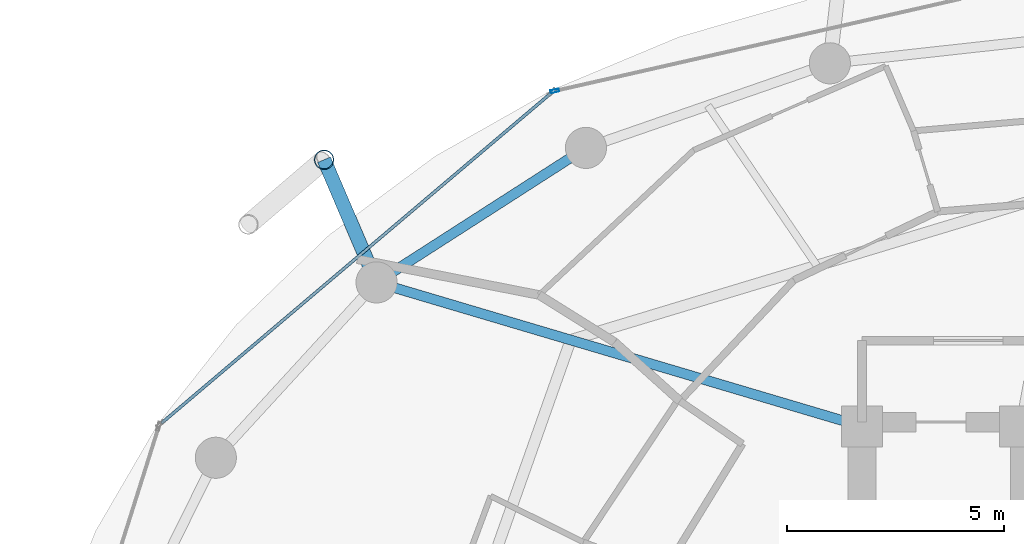
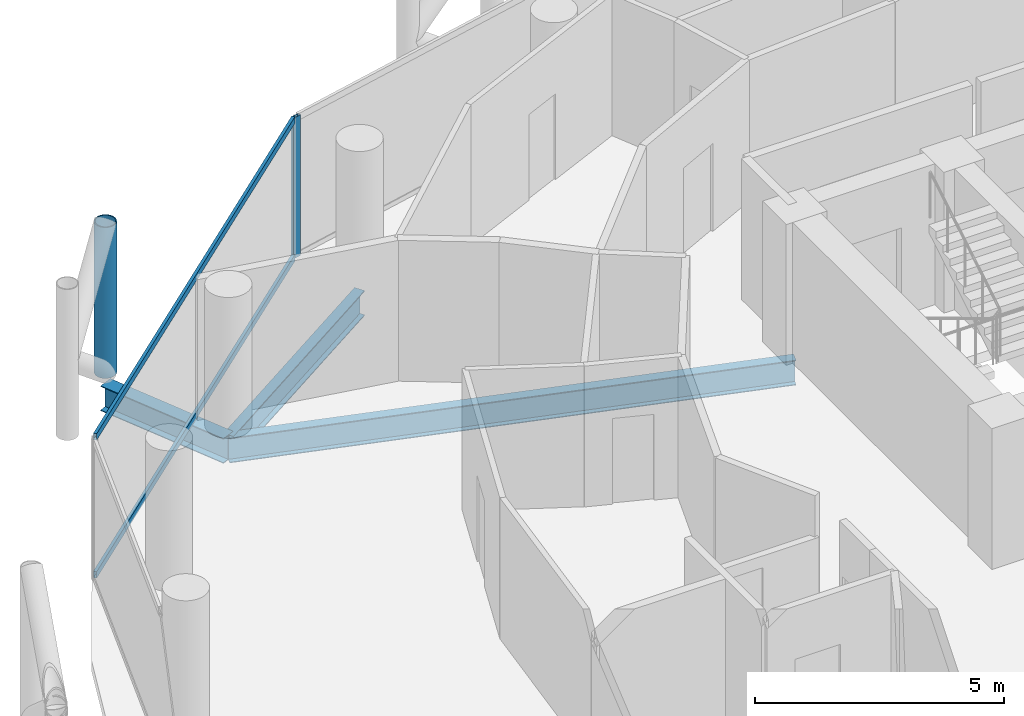
# One storey, part 14 of 26: 4 members, 3 beams, 2 elements without a shape of their own.
"""IFC4 building model written with IfcOpenShell, lengths in metres."""

from ifc_helpers import new_model, si_unit, direction, frame, origin, origin_2d, place, context, subcontext, project, spatial, hollow_rectangle, hollow_circle, i_section, extrude, material, layer, layer_set, material_profile, profile_set, type_object, element, aggregate, save


model = new_model("IFC4")

# Units and contexts
model_context = context("Model", 3, precision=1e-05, world=origin(), true_north=direction((0.0, 1.0)))
body_context = subcontext(model_context, "Body", "Model", "MODEL_VIEW")
ifc_project = project(units=[si_unit("LENGTHUNIT", "METRE"), si_unit("AREAUNIT", "SQUARE_METRE"), si_unit("VOLUMEUNIT", "CUBIC_METRE"), si_unit("PLANEANGLEUNIT", "RADIAN"), si_unit("MASSUNIT", "GRAM", prefix="KILO")], contexts=[model_context])

# Site, building, storey
site_placement = place(None, origin())
site = spatial("IfcSite", under=ifc_project, at=site_placement, CompositionType="ELEMENT")
building_placement = place(site_placement, origin())
building = spatial("IfcBuilding", under=site, at=building_placement, Name="Nuhasar Tower", CompositionType="ELEMENT")
storey_placement = place(building_placement, frame((0.0, 0.0, 133.050048828125)))
storey = spatial("IfcBuildingStorey", under=building, at=storey_placement, Name="L31", CompositionType="ELEMENT", Elevation=133.050048828125)

# Beams
ifc_material_1 = material(Name="Steel S355", Category="steel")
ifc_material_profile_1 = material_profile(ifc_material_1, i_section(OverallWidth=0.22900390625, OverallDepth=0.612060546875, WebThickness=0.011962890625, FlangeThickness=0.01953125, at=origin_2d()), Name="W24X84")
ifc_profile_set_1 = profile_set([ifc_material_profile_1], Name="Steel S355")
beam_type_1 = type_object("IfcBeamType", Name="BM-RAD-W24X84", PredefinedType="BEAM", material=ifc_profile_set_1)
beam_1_placement = place(storey_placement, frame((33.699951171875, 37.300048828125, -0.55615234375), z_axis=(-0.958746492721, 0.284262489076, 0.0), x_axis=(-0.284262489076, -0.958746492721, 0.0)))
element("IfcBeam", 1, at=beam_1_placement, inside=storey, type_object=beam_type_1, Name="L31 Radial Floor Girder 07", PredefinedType="BEAM", context=body_context, shape_type="SweptSolid", body=[
    extrude(i_section(OverallWidth=0.22900390625, OverallDepth=0.612060546875, WebThickness=0.011962890625, FlangeThickness=0.01953125, at=origin_2d()), origin(), (0.0, 0.0, 1.0), 11.693359375),
])
ifc_material_profile_2 = material_profile(ifc_material_1, i_section(OverallWidth=0.22998046875, OverallDepth=0.616943359375, WebThickness=0.01318359375, FlangeThickness=0.022216796875, at=origin_2d()), Name="W24X94")
ifc_profile_set_2 = profile_set([ifc_material_profile_2], Name="Steel S355")
beam_type_2 = type_object("IfcBeamType", Name="BM-RING-W24X94", PredefinedType="SPANDREL", material=ifc_profile_set_2)
beam_2_placement = place(storey_placement, frame((27.324951171875, 43.73095703125, -0.55810546875), z_axis=(-0.841327486207, -0.540525726448, 0.0), x_axis=(0.540525726448, -0.841327486207, 0.0)))
element("IfcBeam", 2, at=beam_2_placement, inside=storey, type_object=beam_type_2, Name="L31 Perimeter Ring Spandrel 09", PredefinedType="SPANDREL", context=body_context, shape_type="SweptSolid", body=[
    extrude(i_section(OverallWidth=0.22998046875, OverallDepth=0.616943359375, WebThickness=0.01318359375, FlangeThickness=0.022216796875, at=origin_2d()), origin(), (0.0, 0.0, 1.0), 5.748046875),
])
ifc_material_profile_3 = material_profile(ifc_material_1, i_section(OverallWidth=0.323974609375, OverallDepth=0.611083984375, WebThickness=0.0126953125, FlangeThickness=0.01904296875, at=origin_2d()), Name="W24X104")
ifc_profile_set_3 = profile_set([ifc_material_profile_3], Name="Steel S355")
beam_type_3 = type_object("IfcBeamType", Name="BM-TIE-W24X104", PredefinedType="BEAM", material=ifc_profile_set_3)
beam_3_placement = place(storey_placement, frame((22.489013671875, 40.6240234375, -0.554931640625), z_axis=(-0.39330721304, 0.919407111225, 0.0), x_axis=(-0.919407111225, -0.39330721304, 0.0)))
element("IfcBeam", 3, at=beam_3_placement, inside=storey, type_object=beam_type_3, Name="L31 Exoskeleton Node Tie Beam 05", PredefinedType="BEAM", context=body_context, shape_type="SweptSolid", body=[
    extrude(i_section(OverallWidth=0.323974609375, OverallDepth=0.611083984375, WebThickness=0.0126953125, FlangeThickness=0.01904296875, at=origin_2d()), origin(), (0.0, 0.0, 1.0), 3.081298828125),
])

# Curtain wall, member
ifc_material_2 = material(Name="Aluminium 6063-T6", Category="aluminium")
ifc_layer = layer(ifc_material_2, 0.199951171875)
ifc_layer_set = layer_set([ifc_layer], Name="Aluminium 6063-T6")
curtain_wall_type = type_object("IfcCurtainWallType", Name="CW-Z2-HTL", PredefinedType="NOTDEFINED", material=ifc_layer_set)
curtain_wall_1_placement = place(storey_placement, origin())
curtain_wall_1 = element("IfcCurtainWall", 4, at=curtain_wall_1_placement, inside=storey, type_object=curtain_wall_type, Name="L31 Unitised Curtain Wall 04", PredefinedType="NOTDEFINED")
ifc_material_profile_4 = material_profile(ifc_material_2, hollow_rectangle(XDim=0.070068359375, YDim=0.199951171875, WallThickness=0.0048828125, at=origin_2d()), Name="CWM-3")
ifc_profile_set_4 = profile_set([ifc_material_profile_4], Name="Aluminium 6063-T6")
member_type_1 = type_object("IfcMemberType", Name="CW-MUL-S3", PredefinedType="MULLION", material=ifc_profile_set_4)
member_1_placement = place(storey_placement, frame((26.604248046875, 45.045654296875, 0.0), z_axis=(0.0, 0.0, 1.0), x_axis=(0.22139729566, -0.975183694221, 0.0)))
member_1 = element("IfcMember", 5, at=member_1_placement, type_object=member_type_1, Name="CW-Z2 mullion 2", PredefinedType="MULLION", context=body_context, shape_type="SweptSolid", body=[
    extrude(hollow_rectangle(XDim=0.070068359375, YDim=0.199951171875, WallThickness=0.0048828125, at=origin_2d()), origin(), (0.0, 0.0, 1.0), 3.449951171875),
])
aggregate(curtain_wall_1, [member_1])

# Curtain wall, members
curtain_wall_2_placement = place(storey_placement, origin())
curtain_wall_2 = element("IfcCurtainWall", 6, at=curtain_wall_2_placement, inside=storey, type_object=curtain_wall_type, Name="L31 Unitised Curtain Wall 05", PredefinedType="NOTDEFINED")
ifc_material_profile_5 = material_profile(ifc_material_2, hollow_rectangle(XDim=0.070068359375, YDim=0.159912109375, WallThickness=0.00439453125, at=origin_2d()), Name="CWT-3")
ifc_profile_set_5 = profile_set([ifc_material_profile_5], Name="Aluminium 6063-T6")
member_type_2 = type_object("IfcMemberType", Name="CW-TRN-S3", PredefinedType="USERDEFINED", material=ifc_profile_set_5)
member_2_placement = place(storey_placement, frame((26.5166015625, 44.99267578125, 0.034912109375), z_axis=(-0.763023915269, -0.646370253592, 0.0), x_axis=(0.646370253592, -0.763023915269, 0.0)))
member_2 = element("IfcMember", 7, at=member_2_placement, type_object=member_type_2, Name="CW-Z2 transom 1.1", ObjectType="TRANSOM", PredefinedType="USERDEFINED", context=body_context, shape_type="SweptSolid", body=[
    extrude(hollow_rectangle(XDim=0.070068359375, YDim=0.159912109375, WallThickness=0.00439453125, at=origin_2d()), origin(), (0.0, 0.0, 1.0), 11.784912109375),
])
member_3_placement = place(storey_placement, frame((26.5166015625, 44.99267578125, 3.4150390625), z_axis=(-0.763023915269, -0.646370253592, 0.0), x_axis=(0.646370253592, -0.763023915269, 0.0)))
member_3 = element("IfcMember", 8, at=member_3_placement, type_object=member_type_2, Name="CW-Z2 transom 1.2", ObjectType="TRANSOM", PredefinedType="USERDEFINED", context=body_context, shape_type="SweptSolid", body=[
    extrude(hollow_rectangle(XDim=0.070068359375, YDim=0.159912109375, WallThickness=0.00439453125, at=origin_2d()), origin(), (0.0, 0.0, 1.0), 11.784912109375),
])
aggregate(curtain_wall_2, [member_2, member_3])

# Member
ifc_material_3 = material(Name="Steel S460", Category="steel")
ifc_material_profile_6 = material_profile(ifc_material_3, hollow_circle(Radius=0.228515625, WallThickness=0.022216796875, at=origin_2d()), Name="HSS457X22.2")
ifc_profile_set_6 = profile_set([ifc_material_profile_6], Name="Steel S460")
member_type_3 = type_object("IfcMemberType", Name="EXO-BRONZE-457", PredefinedType="BRACE", material=ifc_profile_set_6)
member_4_placement = place(storey_placement, frame((21.277099609375, 43.45703125, 0.0), z_axis=(0.0, 0.0, 1.0), x_axis=(1.0, 0.0, 0.0)))
element("IfcMember", 9, at=member_4_placement, inside=storey, type_object=member_type_3, Name="L31 Exoskeleton Chord Column EC-05A", PredefinedType="BRACE", context=body_context, shape_type="SweptSolid", body=[
    extrude(hollow_circle(Radius=0.228515625, WallThickness=0.022216796875, at=origin_2d()), origin(), (0.0, 0.0, 1.0), 3.699951171875),
])

save(model, "model.ifc")
